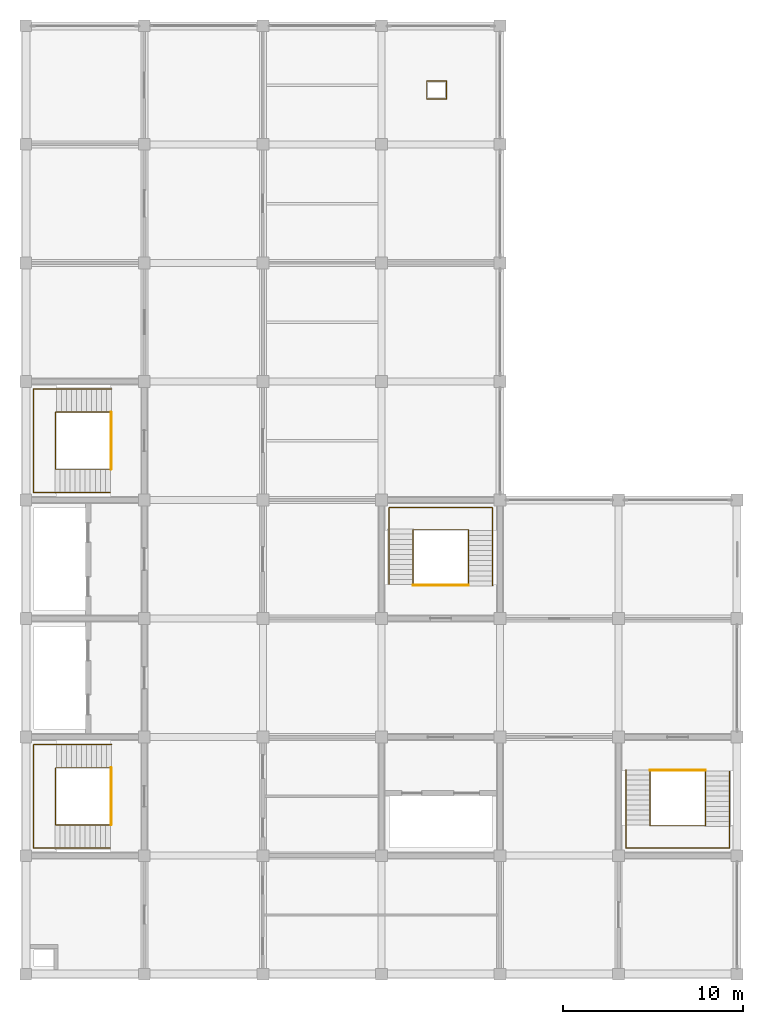
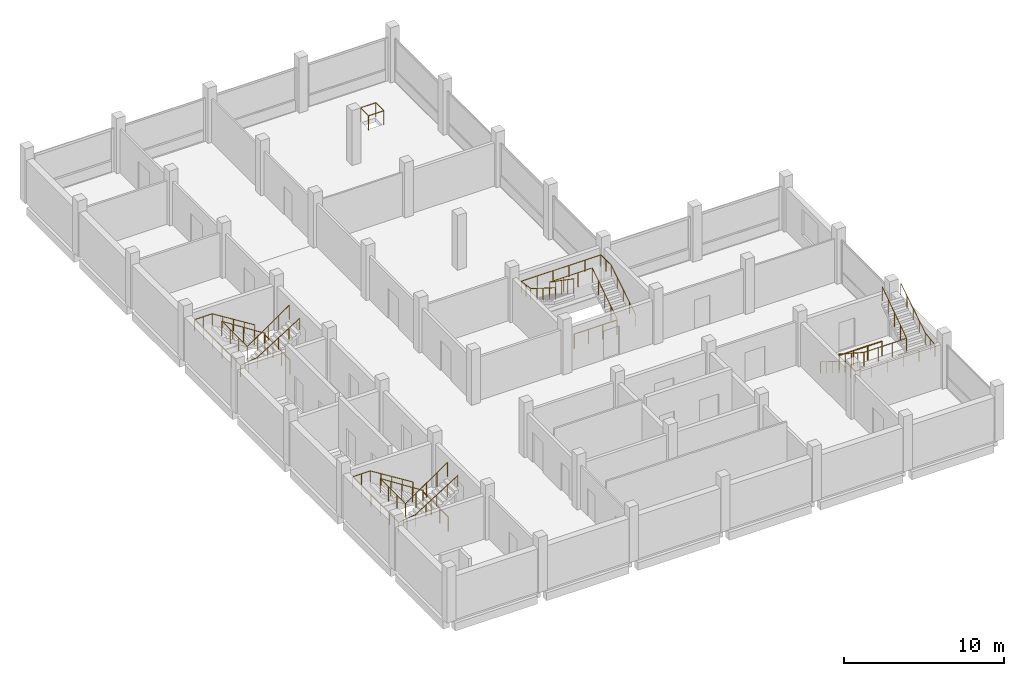
# One storey, part 9 of 9: 13 railings.
"""IFC4 building model written with IfcOpenShell, lengths in metres."""

from ifc_helpers import new_model, si_unit, direction, frame, origin, origin_2d, place, context, subcontext, project, spatial, circle, extrude, material, type_object, element, save


model = new_model("IFC4")

# Units and contexts
model_context = context("Model", 3, precision=1e-05, world=origin(), true_north=direction((0.0, 1.0)))
body_context = subcontext(model_context, "Body", "Model", "MODEL_VIEW")
ifc_project = project(units=[si_unit("LENGTHUNIT", "METRE"), si_unit("AREAUNIT", "SQUARE_METRE"), si_unit("VOLUMEUNIT", "CUBIC_METRE"), si_unit("PLANEANGLEUNIT", "RADIAN"), si_unit("MASSUNIT", "GRAM", prefix="KILO")], contexts=[model_context])

# Site, building, storey
site_placement = place(None, origin())
site = spatial("IfcSite", under=ifc_project, at=site_placement, CompositionType="ELEMENT")
building_placement = place(site_placement, origin())
building = spatial("IfcBuilding", under=site, at=building_placement, Name="Rusizi Kubbe Research Institute", CompositionType="ELEMENT")
storey_placement = place(building_placement, frame((0.0, 0.0, 60.60009765625)))
storey = spatial("IfcBuildingStorey", under=building, at=storey_placement, Name="L14", CompositionType="ELEMENT", Elevation=60.60009765625)

# Railings
ifc_material_1 = material(Name="Painted Steel Stair Guard", Category="steel")
railing_type_1 = type_object("IfcRailingType", Name="GR-STAIR", PredefinedType="GUARDRAIL", material=ifc_material_1)
railing_1_placement = place(storey_placement, frame((4.780029296875, 11.489990234375, 0.08740234375)))
element("IfcRailing", 1, at=railing_1_placement, inside=storey, type_object=railing_type_1, Name="Stair Inner Well Guard ST1 L14", PredefinedType="GUARDRAIL", context=body_context, shape_type="SweptSolid", body=[
    extrude(circle(Radius=0.02392578125, at=origin_2d()), frame((0.0, 0.0, 1.09619140625), z_axis=(-0.840361383606, 0.0, 0.542026516828), x_axis=(0.0, -1.0, 0.0)), (0.0, 0.0, 1.0), 3.712890625),
    extrude(circle(Radius=0.02392578125, at=origin_2d()), frame((-3.1201171875, 0.0, 3.1083984375), z_axis=(0.0, -1.0, 0.0), x_axis=(1.0, 0.0, 0.0)), (0.0, 0.0, 1.0), 3.179931640625),
    extrude(circle(Radius=0.02392578125, at=origin_2d()), frame((-3.1201171875, -3.179931640625, 3.1083984375), z_axis=(0.82276741766, 0.0, 0.568378198419), x_axis=(0.0, 1.0, 0.0)), (0.0, 0.0, 1.0), 3.69482421875),
    extrude(circle(Radius=0.02099609375, at=origin_2d()), origin(), (0.0, 0.0, 1.0), 1.072021484375),
    extrude(circle(Radius=0.02099609375, at=origin_2d()), frame((-0.780029296875, 0.0, 0.503173828125)), (0.0, 0.0, 1.0), 1.072021484375),
    extrude(circle(Radius=0.02099609375, at=origin_2d()), frame((-1.56005859375, 0.0, 1.00634765625)), (0.0, 0.0, 1.0), 1.072021484375),
    extrude(circle(Radius=0.02099609375, at=origin_2d()), frame((-2.340087890625, 0.0, 1.50927734375)), (0.0, 0.0, 1.0), 1.072021484375),
    extrude(circle(Radius=0.02099609375, at=origin_2d()), frame((-3.1201171875, 0.0, 2.012451171875)), (0.0, 0.0, 1.0), 1.072021484375),
    extrude(circle(Radius=0.02099609375, at=origin_2d()), frame((-3.1201171875, -1.06005859375, 2.012451171875)), (0.0, 0.0, 1.0), 1.072021484375),
    extrude(circle(Radius=0.02099609375, at=origin_2d()), frame((-3.1201171875, -2.119873046875, 2.012451171875)), (0.0, 0.0, 1.0), 1.072021484375),
    extrude(circle(Radius=0.02099609375, at=origin_2d()), frame((-3.1201171875, -3.179931640625, 2.012451171875)), (0.0, 0.0, 1.0), 1.072021484375),
    extrude(circle(Radius=0.02099609375, at=origin_2d()), frame((-2.360107421875, -3.179931640625, 2.53759765625)), (0.0, 0.0, 1.0), 1.072021484375),
    extrude(circle(Radius=0.02099609375, at=origin_2d()), frame((-1.60009765625, -3.179931640625, 3.0625)), (0.0, 0.0, 1.0), 1.072021484375),
    extrude(circle(Radius=0.02099609375, at=origin_2d()), frame((-0.840087890625, -3.179931640625, 3.58740234375)), (0.0, 0.0, 1.0), 1.072021484375),
    extrude(circle(Radius=0.02099609375, at=origin_2d()), frame((-0.080078125, -3.179931640625, 4.112548828125)), (0.0, 0.0, 1.0), 1.072021484375),
])
railing_2_placement = place(storey_placement, frame((4.75, 11.489990234375, 0.0)))
element("IfcRailing", 2, at=railing_2_placement, inside=storey, type_object=railing_type_1, Name="Stair Floor Edge Guard ST1 L14", PredefinedType="GUARDRAIL", context=body_context, shape_type="SweptSolid", body=[
    extrude(circle(Radius=0.02392578125, at=origin_2d()), frame((0.0, 0.0, 1.09619140625), z_axis=(0.0, -1.0, 0.0), x_axis=(1.0, 0.0, 0.0)), (0.0, 0.0, 1.0), 3.179931640625),
    extrude(circle(Radius=0.02099609375, at=origin_2d()), origin(), (0.0, 0.0, 1.0), 1.072021484375),
    extrude(circle(Radius=0.02099609375, at=origin_2d()), frame((0.0, -1.06005859375, 0.0)), (0.0, 0.0, 1.0), 1.072021484375),
    extrude(circle(Radius=0.02099609375, at=origin_2d()), frame((0.0, -2.119873046875, 0.0)), (0.0, 0.0, 1.0), 1.072021484375),
    extrude(circle(Radius=0.02099609375, at=origin_2d()), frame((0.0, -3.179931640625, 0.0)), (0.0, 0.0, 1.0), 1.072021484375),
])
railing_3_placement = place(storey_placement, frame((4.780029296875, 31.2900390625, 0.08740234375)))
element("IfcRailing", 3, at=railing_3_placement, inside=storey, type_object=railing_type_1, Name="Stair Inner Well Guard ST2 L14", PredefinedType="GUARDRAIL", context=body_context, shape_type="SweptSolid", body=[
    extrude(circle(Radius=0.02392578125, at=origin_2d()), frame((0.0, 0.0, 1.09619140625), z_axis=(-0.840361383606, 0.0, 0.542026516828), x_axis=(0.0, -1.0, 0.0)), (0.0, 0.0, 1.0), 3.712890625),
    extrude(circle(Radius=0.02392578125, at=origin_2d()), frame((-3.1201171875, 0.0, 3.1083984375), z_axis=(0.0, -1.0, 0.0), x_axis=(1.0, 0.0, 0.0)), (0.0, 0.0, 1.0), 3.179931640625),
    extrude(circle(Radius=0.02392578125, at=origin_2d()), frame((-3.1201171875, -3.179931640625, 3.1083984375), z_axis=(0.82276741766, 0.0, 0.568378198419), x_axis=(0.0, 1.0, 0.0)), (0.0, 0.0, 1.0), 3.69482421875),
    extrude(circle(Radius=0.02099609375, at=origin_2d()), origin(), (0.0, 0.0, 1.0), 1.072021484375),
    extrude(circle(Radius=0.02099609375, at=origin_2d()), frame((-0.780029296875, 0.0, 0.503173828125)), (0.0, 0.0, 1.0), 1.072021484375),
    extrude(circle(Radius=0.02099609375, at=origin_2d()), frame((-1.56005859375, 0.0, 1.00634765625)), (0.0, 0.0, 1.0), 1.072021484375),
    extrude(circle(Radius=0.02099609375, at=origin_2d()), frame((-2.340087890625, 0.0, 1.50927734375)), (0.0, 0.0, 1.0), 1.072021484375),
    extrude(circle(Radius=0.02099609375, at=origin_2d()), frame((-3.1201171875, 0.0, 2.012451171875)), (0.0, 0.0, 1.0), 1.072021484375),
    extrude(circle(Radius=0.02099609375, at=origin_2d()), frame((-3.1201171875, -1.06005859375, 2.012451171875)), (0.0, 0.0, 1.0), 1.072021484375),
    extrude(circle(Radius=0.02099609375, at=origin_2d()), frame((-3.1201171875, -2.119873046875, 2.012451171875)), (0.0, 0.0, 1.0), 1.072021484375),
    extrude(circle(Radius=0.02099609375, at=origin_2d()), frame((-3.1201171875, -3.179931640625, 2.012451171875)), (0.0, 0.0, 1.0), 1.072021484375),
    extrude(circle(Radius=0.02099609375, at=origin_2d()), frame((-2.360107421875, -3.179931640625, 2.53759765625)), (0.0, 0.0, 1.0), 1.072021484375),
    extrude(circle(Radius=0.02099609375, at=origin_2d()), frame((-1.60009765625, -3.179931640625, 3.0625)), (0.0, 0.0, 1.0), 1.072021484375),
    extrude(circle(Radius=0.02099609375, at=origin_2d()), frame((-0.840087890625, -3.179931640625, 3.58740234375)), (0.0, 0.0, 1.0), 1.072021484375),
    extrude(circle(Radius=0.02099609375, at=origin_2d()), frame((-0.080078125, -3.179931640625, 4.112548828125)), (0.0, 0.0, 1.0), 1.072021484375),
])
railing_4_placement = place(storey_placement, frame((4.75, 31.2900390625, 0.0)))
element("IfcRailing", 4, at=railing_4_placement, inside=storey, type_object=railing_type_1, Name="Stair Floor Edge Guard ST2 L14", PredefinedType="GUARDRAIL", context=body_context, shape_type="SweptSolid", body=[
    extrude(circle(Radius=0.02392578125, at=origin_2d()), frame((0.0, 0.0, 1.09619140625), z_axis=(0.0, -1.0, 0.0), x_axis=(1.0, 0.0, 0.0)), (0.0, 0.0, 1.0), 3.179931640625),
    extrude(circle(Radius=0.02099609375, at=origin_2d()), origin(), (0.0, 0.0, 1.0), 1.072021484375),
    extrude(circle(Radius=0.02099609375, at=origin_2d()), frame((0.0, -1.06005859375, 0.0)), (0.0, 0.0, 1.0), 1.072021484375),
    extrude(circle(Radius=0.02099609375, at=origin_2d()), frame((0.0, -2.119873046875, 0.0)), (0.0, 0.0, 1.0), 1.072021484375),
    extrude(circle(Radius=0.02099609375, at=origin_2d()), frame((0.0, -3.179931640625, 0.0)), (0.0, 0.0, 1.0), 1.072021484375),
])
railing_5_placement = place(storey_placement, frame((24.639892578125, 21.6201171875, 0.08740234375)))
element("IfcRailing", 5, at=railing_5_placement, inside=storey, type_object=railing_type_1, Name="Stair Inner Well Guard ST3 L14", PredefinedType="GUARDRAIL", context=body_context, shape_type="SweptSolid", body=[
    extrude(circle(Radius=0.02392578125, at=origin_2d()), frame((0.0, 0.0, 1.09619140625), z_axis=(0.0, 0.840342063375, 0.542056469865), x_axis=(-1.0, 0.0, 0.0)), (0.0, 0.0, 1.0), 3.712646484375),
    extrude(circle(Radius=0.02392578125, at=origin_2d()), frame((0.0, 3.119873046875, 3.1083984375), z_axis=(-1.0, 0.0, 0.0), x_axis=(0.0, -1.0, 0.0)), (0.0, 0.0, 1.0), 3.079833984375),
    extrude(circle(Radius=0.02392578125, at=origin_2d()), frame((-3.079833984375, 3.119873046875, 3.1083984375), z_axis=(0.0, -0.82276741766, 0.568378198419), x_axis=(1.0, 0.0, 0.0)), (0.0, 0.0, 1.0), 3.69482421875),
    extrude(circle(Radius=0.02099609375, at=origin_2d()), origin(), (0.0, 0.0, 1.0), 1.072021484375),
    extrude(circle(Radius=0.02099609375, at=origin_2d()), frame((0.0, 0.780029296875, 0.503173828125)), (0.0, 0.0, 1.0), 1.072021484375),
    extrude(circle(Radius=0.02099609375, at=origin_2d()), frame((0.0, 1.56005859375, 1.00634765625)), (0.0, 0.0, 1.0), 1.072021484375),
    extrude(circle(Radius=0.02099609375, at=origin_2d()), frame((0.0, 2.33984375, 1.50927734375)), (0.0, 0.0, 1.0), 1.072021484375),
    extrude(circle(Radius=0.02099609375, at=origin_2d()), frame((0.0, 3.119873046875, 2.012451171875)), (0.0, 0.0, 1.0), 1.072021484375),
    extrude(circle(Radius=0.02099609375, at=origin_2d()), frame((-1.026611328125, 3.119873046875, 2.012451171875)), (0.0, 0.0, 1.0), 1.072021484375),
    extrude(circle(Radius=0.02099609375, at=origin_2d()), frame((-2.05322265625, 3.119873046875, 2.012451171875)), (0.0, 0.0, 1.0), 1.072021484375),
    extrude(circle(Radius=0.02099609375, at=origin_2d()), frame((-3.079833984375, 3.119873046875, 2.012451171875)), (0.0, 0.0, 1.0), 1.072021484375),
    extrude(circle(Radius=0.02099609375, at=origin_2d()), frame((-3.079833984375, 2.35986328125, 2.53759765625)), (0.0, 0.0, 1.0), 1.072021484375),
    extrude(circle(Radius=0.02099609375, at=origin_2d()), frame((-3.079833984375, 1.599853515625, 3.0625)), (0.0, 0.0, 1.0), 1.072021484375),
    extrude(circle(Radius=0.02099609375, at=origin_2d()), frame((-3.079833984375, 0.83984375, 3.58740234375)), (0.0, 0.0, 1.0), 1.072021484375),
    extrude(circle(Radius=0.02099609375, at=origin_2d()), frame((-3.079833984375, 0.079833984375, 4.112548828125)), (0.0, 0.0, 1.0), 1.072021484375),
])
railing_6_placement = place(storey_placement, frame((24.639892578125, 21.64990234375, 0.0)))
element("IfcRailing", 6, at=railing_6_placement, inside=storey, type_object=railing_type_1, Name="Stair Floor Edge Guard ST3 L14", PredefinedType="GUARDRAIL", context=body_context, shape_type="SweptSolid", body=[
    extrude(circle(Radius=0.02392578125, at=origin_2d()), frame((0.0, 0.0, 1.09619140625), z_axis=(-1.0, 0.0, 0.0), x_axis=(0.0, -1.0, 0.0)), (0.0, 0.0, 1.0), 3.079833984375),
    extrude(circle(Radius=0.02099609375, at=origin_2d()), origin(), (0.0, 0.0, 1.0), 1.072021484375),
    extrude(circle(Radius=0.02099609375, at=origin_2d()), frame((-1.026611328125, 0.0, 0.0)), (0.0, 0.0, 1.0), 1.072021484375),
    extrude(circle(Radius=0.02099609375, at=origin_2d()), frame((-2.05322265625, 0.0, 0.0)), (0.0, 0.0, 1.0), 1.072021484375),
    extrude(circle(Radius=0.02099609375, at=origin_2d()), frame((-3.079833984375, 0.0, 0.0)), (0.0, 0.0, 1.0), 1.072021484375),
])
railing_7_placement = place(storey_placement, frame((34.760009765625, 11.3798828125, 0.08740234375)))
element("IfcRailing", 7, at=railing_7_placement, inside=storey, type_object=railing_type_1, Name="Stair Inner Well Guard ST4 L14", PredefinedType="GUARDRAIL", context=body_context, shape_type="SweptSolid", body=[
    extrude(circle(Radius=0.02392578125, at=origin_2d()), frame((0.0, 0.0, 1.09619140625), z_axis=(0.0, -0.840342063375, 0.542056469865), x_axis=(1.0, 0.0, 0.0)), (0.0, 0.0, 1.0), 3.712646484375),
    extrude(circle(Radius=0.02392578125, at=origin_2d()), frame((0.0, -3.119873046875, 3.1083984375), z_axis=(1.0, 0.0, 0.0), x_axis=(0.0, 1.0, 0.0)), (0.0, 0.0, 1.0), 3.080078125),
    extrude(circle(Radius=0.02392578125, at=origin_2d()), frame((3.080078125, -3.119873046875, 3.1083984375), z_axis=(0.0, 0.82276741766, 0.568378198419), x_axis=(-1.0, 0.0, 0.0)), (0.0, 0.0, 1.0), 3.69482421875),
    extrude(circle(Radius=0.02099609375, at=origin_2d()), origin(), (0.0, 0.0, 1.0), 1.072021484375),
    extrude(circle(Radius=0.02099609375, at=origin_2d()), frame((0.0, -0.780029296875, 0.503173828125)), (0.0, 0.0, 1.0), 1.072021484375),
    extrude(circle(Radius=0.02099609375, at=origin_2d()), frame((0.0, -1.56005859375, 1.00634765625)), (0.0, 0.0, 1.0), 1.072021484375),
    extrude(circle(Radius=0.02099609375, at=origin_2d()), frame((0.0, -2.33984375, 1.50927734375)), (0.0, 0.0, 1.0), 1.072021484375),
    extrude(circle(Radius=0.02099609375, at=origin_2d()), frame((0.0, -3.119873046875, 2.012451171875)), (0.0, 0.0, 1.0), 1.072021484375),
    extrude(circle(Radius=0.02099609375, at=origin_2d()), frame((1.026611328125, -3.119873046875, 2.012451171875)), (0.0, 0.0, 1.0), 1.072021484375),
    extrude(circle(Radius=0.02099609375, at=origin_2d()), frame((2.053466796875, -3.119873046875, 2.012451171875)), (0.0, 0.0, 1.0), 1.072021484375),
    extrude(circle(Radius=0.02099609375, at=origin_2d()), frame((3.080078125, -3.119873046875, 2.012451171875)), (0.0, 0.0, 1.0), 1.072021484375),
    extrude(circle(Radius=0.02099609375, at=origin_2d()), frame((3.080078125, -2.35986328125, 2.53759765625)), (0.0, 0.0, 1.0), 1.072021484375),
    extrude(circle(Radius=0.02099609375, at=origin_2d()), frame((3.080078125, -1.599853515625, 3.0625)), (0.0, 0.0, 1.0), 1.072021484375),
    extrude(circle(Radius=0.02099609375, at=origin_2d()), frame((3.080078125, -0.83984375, 3.58740234375)), (0.0, 0.0, 1.0), 1.072021484375),
    extrude(circle(Radius=0.02099609375, at=origin_2d()), frame((3.080078125, -0.079833984375, 4.112548828125)), (0.0, 0.0, 1.0), 1.072021484375),
])
railing_8_placement = place(storey_placement, frame((34.760009765625, 11.35009765625, 0.0)))
element("IfcRailing", 8, at=railing_8_placement, inside=storey, type_object=railing_type_1, Name="Stair Floor Edge Guard ST4 L14", PredefinedType="GUARDRAIL", context=body_context, shape_type="SweptSolid", body=[
    extrude(circle(Radius=0.02392578125, at=origin_2d()), frame((0.0, 0.0, 1.09619140625), z_axis=(1.0, 0.0, 0.0), x_axis=(0.0, 1.0, 0.0)), (0.0, 0.0, 1.0), 3.080078125),
    extrude(circle(Radius=0.02099609375, at=origin_2d()), origin(), (0.0, 0.0, 1.0), 1.072021484375),
    extrude(circle(Radius=0.02099609375, at=origin_2d()), frame((1.026611328125, 0.0, 0.0)), (0.0, 0.0, 1.0), 1.072021484375),
    extrude(circle(Radius=0.02099609375, at=origin_2d()), frame((2.053466796875, 0.0, 0.0)), (0.0, 0.0, 1.0), 1.072021484375),
    extrude(circle(Radius=0.02099609375, at=origin_2d()), frame((3.080078125, 0.0, 0.0)), (0.0, 0.0, 1.0), 1.072021484375),
])
railing_9_placement = place(storey_placement, frame((22.320068359375, 48.719970703125, 0.0)))
element("IfcRailing", 9, at=railing_9_placement, inside=storey, type_object=railing_type_1, Name="Service Riser Guard L14 NORTHA", PredefinedType="GUARDRAIL", context=body_context, shape_type="SweptSolid", body=[
    extrude(circle(Radius=0.02392578125, at=origin_2d()), frame((0.0, 0.0, 1.09619140625), z_axis=(1.0, 0.0, 0.0), x_axis=(0.0, 1.0, 0.0)), (0.0, 0.0, 1.0), 1.10986328125),
    extrude(circle(Radius=0.02392578125, at=origin_2d()), frame((1.10986328125, 0.0, 1.09619140625), z_axis=(0.0, 1.0, 0.0), x_axis=(-1.0, 0.0, 0.0)), (0.0, 0.0, 1.0), 1.010009765625),
    extrude(circle(Radius=0.02392578125, at=origin_2d()), frame((1.10986328125, 1.010009765625, 1.09619140625), z_axis=(-1.0, 0.0, 0.0), x_axis=(0.0, -1.0, 0.0)), (0.0, 0.0, 1.0), 1.10986328125),
    extrude(circle(Radius=0.02392578125, at=origin_2d()), frame((0.0, 1.010009765625, 1.09619140625), z_axis=(0.0, -1.0, 0.0), x_axis=(1.0, 0.0, 0.0)), (0.0, 0.0, 1.0), 1.010009765625),
    extrude(circle(Radius=0.02099609375, at=origin_2d()), origin(), (0.0, 0.0, 1.0), 1.072021484375),
    extrude(circle(Radius=0.02099609375, at=origin_2d()), frame((1.10986328125, 0.0, 0.0)), (0.0, 0.0, 1.0), 1.072021484375),
    extrude(circle(Radius=0.02099609375, at=origin_2d()), frame((1.10986328125, 1.010009765625, 0.0)), (0.0, 0.0, 1.0), 1.072021484375),
    extrude(circle(Radius=0.02099609375, at=origin_2d()), frame((0.0, 1.010009765625, 0.0)), (0.0, 0.0, 1.0), 1.072021484375),
])
ifc_material_2 = material(Name="Brushed Stainless Steel Handrail", Category="steel")
railing_type_2 = type_object("IfcRailingType", Name="HR-STAIR", PredefinedType="HANDRAIL", material=ifc_material_2)
railing_10_placement = place(storey_placement, frame((4.780029296875, 12.780029296875, 0.1748046875)))
element("IfcRailing", 10, at=railing_10_placement, inside=storey, type_object=railing_type_2, Name="Stair Wall Handrail ST1 L14", PredefinedType="HANDRAIL", context=body_context, shape_type="SweptSolid", body=[
    extrude(circle(Radius=0.02392578125, at=origin_2d()), frame((0.0, 0.0, 0.8759765625), z_axis=(-0.847998304005, 0.0, 0.529998940003), x_axis=(0.0, -1.0, 0.0)), (0.0, 0.0, 1.0), 3.632080078125),
    extrude(circle(Radius=0.02392578125, at=origin_2d()), frame((-3.080078125, 0.0, 2.80078125), z_axis=(-1.0, 0.0, 0.0), x_axis=(0.0, -1.0, 0.0)), (0.0, 0.0, 1.0), 1.280029296875),
    extrude(circle(Radius=0.02392578125, at=origin_2d()), frame((-4.360107421875, 0.0, 2.80078125), z_axis=(0.0, -1.0, 0.0), x_axis=(1.0, 0.0, 0.0)), (0.0, 0.0, 1.0), 5.760009765625),
    extrude(circle(Radius=0.02392578125, at=origin_2d()), frame((-4.360107421875, -5.760009765625, 2.80078125), z_axis=(0.989630492691, 0.0, 0.143636652482), x_axis=(0.0, 1.0, 0.0)), (0.0, 0.0, 1.0), 1.21875),
    extrude(circle(Radius=0.02392578125, at=origin_2d()), frame((-3.154052734375, -5.760009765625, 2.97607421875), z_axis=(0.847525270172, 0.0, 0.530755043706), x_axis=(0.0, 1.0, 0.0)), (0.0, 0.0, 1.0), 3.626953125),
    extrude(circle(Radius=0.02099609375, at=origin_2d()), origin(), (0.0, 0.0, 1.0), 0.851806640625),
    extrude(circle(Radius=0.02099609375, at=origin_2d()), frame((-0.77001953125, 0.0, 0.481201171875)), (0.0, 0.0, 1.0), 0.851806640625),
    extrude(circle(Radius=0.02099609375, at=origin_2d()), frame((-1.5400390625, 0.0, 0.96240234375)), (0.0, 0.0, 1.0), 0.851806640625),
    extrude(circle(Radius=0.02099609375, at=origin_2d()), frame((-2.31005859375, 0.0, 1.44384765625)), (0.0, 0.0, 1.0), 0.851806640625),
    extrude(circle(Radius=0.02099609375, at=origin_2d()), frame((-3.080078125, 0.0, 1.925048828125)), (0.0, 0.0, 1.0), 0.851806640625),
    extrude(circle(Radius=0.02099609375, at=origin_2d()), frame((-3.72021484375, 0.0, 1.925048828125)), (0.0, 0.0, 1.0), 0.851806640625),
    extrude(circle(Radius=0.02099609375, at=origin_2d()), frame((-4.360107421875, 0.0, 1.925048828125)), (0.0, 0.0, 1.0), 0.851806640625),
    extrude(circle(Radius=0.02099609375, at=origin_2d()), frame((-4.360107421875, -1.152099609375, 1.925048828125)), (0.0, 0.0, 1.0), 0.851806640625),
    extrude(circle(Radius=0.02099609375, at=origin_2d()), frame((-4.360107421875, -2.303955078125, 1.925048828125)), (0.0, 0.0, 1.0), 0.851806640625),
    extrude(circle(Radius=0.02099609375, at=origin_2d()), frame((-4.360107421875, -3.4560546875, 1.925048828125)), (0.0, 0.0, 1.0), 0.851806640625),
    extrude(circle(Radius=0.02099609375, at=origin_2d()), frame((-4.360107421875, -4.60791015625, 1.925048828125)), (0.0, 0.0, 1.0), 0.851806640625),
    extrude(circle(Radius=0.02099609375, at=origin_2d()), frame((-4.360107421875, -5.760009765625, 1.925048828125)), (0.0, 0.0, 1.0), 0.851806640625),
    extrude(circle(Radius=0.02099609375, at=origin_2d()), frame((-3.757080078125, -5.760009765625, 2.0126953125)), (0.0, 0.0, 1.0), 0.851806640625),
    extrude(circle(Radius=0.02099609375, at=origin_2d()), frame((-3.154052734375, -5.760009765625, 2.10009765625)), (0.0, 0.0, 1.0), 0.851806640625),
    extrude(circle(Radius=0.02099609375, at=origin_2d()), frame((-2.385498046875, -5.760009765625, 2.581298828125)), (0.0, 0.0, 1.0), 0.851806640625),
    extrude(circle(Radius=0.02099609375, at=origin_2d()), frame((-1.6171875, -5.760009765625, 3.0625)), (0.0, 0.0, 1.0), 0.851806640625),
    extrude(circle(Radius=0.02099609375, at=origin_2d()), frame((-0.8486328125, -5.760009765625, 3.5439453125)), (0.0, 0.0, 1.0), 0.851806640625),
    extrude(circle(Radius=0.02099609375, at=origin_2d()), frame((-0.080078125, -5.760009765625, 4.025146484375)), (0.0, 0.0, 1.0), 0.851806640625),
])
railing_11_placement = place(storey_placement, frame((4.780029296875, 32.580078125, 0.1748046875)))
element("IfcRailing", 11, at=railing_11_placement, inside=storey, type_object=railing_type_2, Name="Stair Wall Handrail ST2 L14", PredefinedType="HANDRAIL", context=body_context, shape_type="SweptSolid", body=[
    extrude(circle(Radius=0.02392578125, at=origin_2d()), frame((0.0, 0.0, 0.8759765625), z_axis=(-0.847998304005, 0.0, 0.529998940003), x_axis=(0.0, -1.0, 0.0)), (0.0, 0.0, 1.0), 3.632080078125),
    extrude(circle(Radius=0.02392578125, at=origin_2d()), frame((-3.080078125, 0.0, 2.80078125), z_axis=(-1.0, 0.0, 0.0), x_axis=(0.0, -1.0, 0.0)), (0.0, 0.0, 1.0), 1.280029296875),
    extrude(circle(Radius=0.02392578125, at=origin_2d()), frame((-4.360107421875, 0.0, 2.80078125), z_axis=(0.0, -1.0, 0.0), x_axis=(1.0, 0.0, 0.0)), (0.0, 0.0, 1.0), 5.760009765625),
    extrude(circle(Radius=0.02392578125, at=origin_2d()), frame((-4.360107421875, -5.760009765625, 2.80078125), z_axis=(0.989630492691, 0.0, 0.143636652482), x_axis=(0.0, 1.0, 0.0)), (0.0, 0.0, 1.0), 1.21875),
    extrude(circle(Radius=0.02392578125, at=origin_2d()), frame((-3.154052734375, -5.760009765625, 2.97607421875), z_axis=(0.847525270172, 0.0, 0.530755043706), x_axis=(0.0, 1.0, 0.0)), (0.0, 0.0, 1.0), 3.626953125),
    extrude(circle(Radius=0.02099609375, at=origin_2d()), origin(), (0.0, 0.0, 1.0), 0.851806640625),
    extrude(circle(Radius=0.02099609375, at=origin_2d()), frame((-0.77001953125, 0.0, 0.481201171875)), (0.0, 0.0, 1.0), 0.851806640625),
    extrude(circle(Radius=0.02099609375, at=origin_2d()), frame((-1.5400390625, 0.0, 0.96240234375)), (0.0, 0.0, 1.0), 0.851806640625),
    extrude(circle(Radius=0.02099609375, at=origin_2d()), frame((-2.31005859375, 0.0, 1.44384765625)), (0.0, 0.0, 1.0), 0.851806640625),
    extrude(circle(Radius=0.02099609375, at=origin_2d()), frame((-3.080078125, 0.0, 1.925048828125)), (0.0, 0.0, 1.0), 0.851806640625),
    extrude(circle(Radius=0.02099609375, at=origin_2d()), frame((-3.72021484375, 0.0, 1.925048828125)), (0.0, 0.0, 1.0), 0.851806640625),
    extrude(circle(Radius=0.02099609375, at=origin_2d()), frame((-4.360107421875, 0.0, 1.925048828125)), (0.0, 0.0, 1.0), 0.851806640625),
    extrude(circle(Radius=0.02099609375, at=origin_2d()), frame((-4.360107421875, -1.152099609375, 1.925048828125)), (0.0, 0.0, 1.0), 0.851806640625),
    extrude(circle(Radius=0.02099609375, at=origin_2d()), frame((-4.360107421875, -2.303955078125, 1.925048828125)), (0.0, 0.0, 1.0), 0.851806640625),
    extrude(circle(Radius=0.02099609375, at=origin_2d()), frame((-4.360107421875, -3.4560546875, 1.925048828125)), (0.0, 0.0, 1.0), 0.851806640625),
    extrude(circle(Radius=0.02099609375, at=origin_2d()), frame((-4.360107421875, -4.60791015625, 1.925048828125)), (0.0, 0.0, 1.0), 0.851806640625),
    extrude(circle(Radius=0.02099609375, at=origin_2d()), frame((-4.360107421875, -5.760009765625, 1.925048828125)), (0.0, 0.0, 1.0), 0.851806640625),
    extrude(circle(Radius=0.02099609375, at=origin_2d()), frame((-3.757080078125, -5.760009765625, 2.0126953125)), (0.0, 0.0, 1.0), 0.851806640625),
    extrude(circle(Radius=0.02099609375, at=origin_2d()), frame((-3.154052734375, -5.760009765625, 2.10009765625)), (0.0, 0.0, 1.0), 0.851806640625),
    extrude(circle(Radius=0.02099609375, at=origin_2d()), frame((-2.385498046875, -5.760009765625, 2.581298828125)), (0.0, 0.0, 1.0), 0.851806640625),
    extrude(circle(Radius=0.02099609375, at=origin_2d()), frame((-1.6171875, -5.760009765625, 3.0625)), (0.0, 0.0, 1.0), 0.851806640625),
    extrude(circle(Radius=0.02099609375, at=origin_2d()), frame((-0.8486328125, -5.760009765625, 3.5439453125)), (0.0, 0.0, 1.0), 0.851806640625),
    extrude(circle(Radius=0.02099609375, at=origin_2d()), frame((-0.080078125, -5.760009765625, 4.025146484375)), (0.0, 0.0, 1.0), 0.851806640625),
])
railing_12_placement = place(storey_placement, frame((25.97998046875, 21.6201171875, 0.1748046875)))
element("IfcRailing", 12, at=railing_12_placement, inside=storey, type_object=railing_type_2, Name="Stair Wall Handrail ST3 L14", PredefinedType="HANDRAIL", context=body_context, shape_type="SweptSolid", body=[
    extrude(circle(Radius=0.02392578125, at=origin_2d()), frame((0.0, 0.0, 0.8759765625), z_axis=(0.0, 0.847979421464, 0.530029150871), x_axis=(-1.0, 0.0, 0.0)), (0.0, 0.0, 1.0), 3.632080078125),
    extrude(circle(Radius=0.02392578125, at=origin_2d()), frame((0.0, 3.079833984375, 2.80078125), z_axis=(0.0, 1.0, 0.0), x_axis=(-1.0, 0.0, 0.0)), (0.0, 0.0, 1.0), 1.280029296875),
    extrude(circle(Radius=0.02392578125, at=origin_2d()), frame((0.0, 4.35986328125, 2.80078125), z_axis=(-1.0, 0.0, 0.0), x_axis=(0.0, -1.0, 0.0)), (0.0, 0.0, 1.0), 5.760009765625),
    extrude(circle(Radius=0.02392578125, at=origin_2d()), frame((-5.760009765625, 4.35986328125, 2.80078125), z_axis=(0.0, -0.989630492691, 0.143636652482), x_axis=(1.0, 0.0, 0.0)), (0.0, 0.0, 1.0), 1.21875),
    extrude(circle(Radius=0.02392578125, at=origin_2d()), frame((-5.760009765625, 3.15380859375, 2.97607421875), z_axis=(0.0, -0.847525270172, 0.530755043706), x_axis=(1.0, 0.0, 0.0)), (0.0, 0.0, 1.0), 3.626953125),
    extrude(circle(Radius=0.02099609375, at=origin_2d()), origin(), (0.0, 0.0, 1.0), 0.851806640625),
    extrude(circle(Radius=0.02099609375, at=origin_2d()), frame((0.0, 0.77001953125, 0.481201171875)), (0.0, 0.0, 1.0), 0.851806640625),
    extrude(circle(Radius=0.02099609375, at=origin_2d()), frame((0.0, 1.5400390625, 0.96240234375)), (0.0, 0.0, 1.0), 0.851806640625),
    extrude(circle(Radius=0.02099609375, at=origin_2d()), frame((0.0, 2.309814453125, 1.44384765625)), (0.0, 0.0, 1.0), 0.851806640625),
    extrude(circle(Radius=0.02099609375, at=origin_2d()), frame((0.0, 3.079833984375, 1.925048828125)), (0.0, 0.0, 1.0), 0.851806640625),
    extrude(circle(Radius=0.02099609375, at=origin_2d()), frame((0.0, 3.7197265625, 1.925048828125)), (0.0, 0.0, 1.0), 0.851806640625),
    extrude(circle(Radius=0.02099609375, at=origin_2d()), frame((0.0, 4.35986328125, 1.925048828125)), (0.0, 0.0, 1.0), 0.851806640625),
    extrude(circle(Radius=0.02099609375, at=origin_2d()), frame((-1.152099609375, 4.35986328125, 1.925048828125)), (0.0, 0.0, 1.0), 0.851806640625),
    extrude(circle(Radius=0.02099609375, at=origin_2d()), frame((-2.303955078125, 4.35986328125, 1.925048828125)), (0.0, 0.0, 1.0), 0.851806640625),
    extrude(circle(Radius=0.02099609375, at=origin_2d()), frame((-3.4560546875, 4.35986328125, 1.925048828125)), (0.0, 0.0, 1.0), 0.851806640625),
    extrude(circle(Radius=0.02099609375, at=origin_2d()), frame((-4.60791015625, 4.35986328125, 1.925048828125)), (0.0, 0.0, 1.0), 0.851806640625),
    extrude(circle(Radius=0.02099609375, at=origin_2d()), frame((-5.760009765625, 4.35986328125, 1.925048828125)), (0.0, 0.0, 1.0), 0.851806640625),
    extrude(circle(Radius=0.02099609375, at=origin_2d()), frame((-5.760009765625, 3.7568359375, 2.0126953125)), (0.0, 0.0, 1.0), 0.851806640625),
    extrude(circle(Radius=0.02099609375, at=origin_2d()), frame((-5.760009765625, 3.15380859375, 2.10009765625)), (0.0, 0.0, 1.0), 0.851806640625),
    extrude(circle(Radius=0.02099609375, at=origin_2d()), frame((-5.760009765625, 2.38525390625, 2.581298828125)), (0.0, 0.0, 1.0), 0.851806640625),
    extrude(circle(Radius=0.02099609375, at=origin_2d()), frame((-5.760009765625, 1.61669921875, 3.0625)), (0.0, 0.0, 1.0), 0.851806640625),
    extrude(circle(Radius=0.02099609375, at=origin_2d()), frame((-5.760009765625, 0.848388671875, 3.5439453125)), (0.0, 0.0, 1.0), 0.851806640625),
    extrude(circle(Radius=0.02099609375, at=origin_2d()), frame((-5.760009765625, 0.079833984375, 4.025146484375)), (0.0, 0.0, 1.0), 0.851806640625),
])
railing_13_placement = place(storey_placement, frame((33.419921875, 11.3798828125, 0.1748046875)))
element("IfcRailing", 13, at=railing_13_placement, inside=storey, type_object=railing_type_2, Name="Stair Wall Handrail ST4 L14", PredefinedType="HANDRAIL", context=body_context, shape_type="SweptSolid", body=[
    extrude(circle(Radius=0.02392578125, at=origin_2d()), frame((0.0, 0.0, 0.8759765625), z_axis=(0.0, -0.847979421464, 0.530029150871), x_axis=(1.0, 0.0, 0.0)), (0.0, 0.0, 1.0), 3.632080078125),
    extrude(circle(Radius=0.02392578125, at=origin_2d()), frame((0.0, -3.079833984375, 2.80078125), z_axis=(0.0, -1.0, 0.0), x_axis=(1.0, 0.0, 0.0)), (0.0, 0.0, 1.0), 1.280029296875),
    extrude(circle(Radius=0.02392578125, at=origin_2d()), frame((0.0, -4.35986328125, 2.80078125), z_axis=(1.0, 0.0, 0.0), x_axis=(0.0, 1.0, 0.0)), (0.0, 0.0, 1.0), 5.760009765625),
    extrude(circle(Radius=0.02392578125, at=origin_2d()), frame((5.760009765625, -4.35986328125, 2.80078125), z_axis=(0.0, 0.989630492691, 0.143636652482), x_axis=(-1.0, 0.0, 0.0)), (0.0, 0.0, 1.0), 1.21875),
    extrude(circle(Radius=0.02392578125, at=origin_2d()), frame((5.760009765625, -3.15380859375, 2.97607421875), z_axis=(0.0, 0.847525270172, 0.530755043706), x_axis=(-1.0, 0.0, 0.0)), (0.0, 0.0, 1.0), 3.626953125),
    extrude(circle(Radius=0.02099609375, at=origin_2d()), origin(), (0.0, 0.0, 1.0), 0.851806640625),
    extrude(circle(Radius=0.02099609375, at=origin_2d()), frame((0.0, -0.77001953125, 0.481201171875)), (0.0, 0.0, 1.0), 0.851806640625),
    extrude(circle(Radius=0.02099609375, at=origin_2d()), frame((0.0, -1.5400390625, 0.96240234375)), (0.0, 0.0, 1.0), 0.851806640625),
    extrude(circle(Radius=0.02099609375, at=origin_2d()), frame((0.0, -2.309814453125, 1.44384765625)), (0.0, 0.0, 1.0), 0.851806640625),
    extrude(circle(Radius=0.02099609375, at=origin_2d()), frame((0.0, -3.079833984375, 1.925048828125)), (0.0, 0.0, 1.0), 0.851806640625),
    extrude(circle(Radius=0.02099609375, at=origin_2d()), frame((0.0, -3.7197265625, 1.925048828125)), (0.0, 0.0, 1.0), 0.851806640625),
    extrude(circle(Radius=0.02099609375, at=origin_2d()), frame((0.0, -4.35986328125, 1.925048828125)), (0.0, 0.0, 1.0), 0.851806640625),
    extrude(circle(Radius=0.02099609375, at=origin_2d()), frame((1.152099609375, -4.35986328125, 1.925048828125)), (0.0, 0.0, 1.0), 0.851806640625),
    extrude(circle(Radius=0.02099609375, at=origin_2d()), frame((2.303955078125, -4.35986328125, 1.925048828125)), (0.0, 0.0, 1.0), 0.851806640625),
    extrude(circle(Radius=0.02099609375, at=origin_2d()), frame((3.4560546875, -4.35986328125, 1.925048828125)), (0.0, 0.0, 1.0), 0.851806640625),
    extrude(circle(Radius=0.02099609375, at=origin_2d()), frame((4.60791015625, -4.35986328125, 1.925048828125)), (0.0, 0.0, 1.0), 0.851806640625),
    extrude(circle(Radius=0.02099609375, at=origin_2d()), frame((5.760009765625, -4.35986328125, 1.925048828125)), (0.0, 0.0, 1.0), 0.851806640625),
    extrude(circle(Radius=0.02099609375, at=origin_2d()), frame((5.760009765625, -3.7568359375, 2.0126953125)), (0.0, 0.0, 1.0), 0.851806640625),
    extrude(circle(Radius=0.02099609375, at=origin_2d()), frame((5.760009765625, -3.15380859375, 2.10009765625)), (0.0, 0.0, 1.0), 0.851806640625),
    extrude(circle(Radius=0.02099609375, at=origin_2d()), frame((5.760009765625, -2.38525390625, 2.581298828125)), (0.0, 0.0, 1.0), 0.851806640625),
    extrude(circle(Radius=0.02099609375, at=origin_2d()), frame((5.760009765625, -1.61669921875, 3.0625)), (0.0, 0.0, 1.0), 0.851806640625),
    extrude(circle(Radius=0.02099609375, at=origin_2d()), frame((5.760009765625, -0.848388671875, 3.5439453125)), (0.0, 0.0, 1.0), 0.851806640625),
    extrude(circle(Radius=0.02099609375, at=origin_2d()), frame((5.760009765625, -0.079833984375, 4.025146484375)), (0.0, 0.0, 1.0), 0.851806640625),
])

save(model, "model.ifc")
